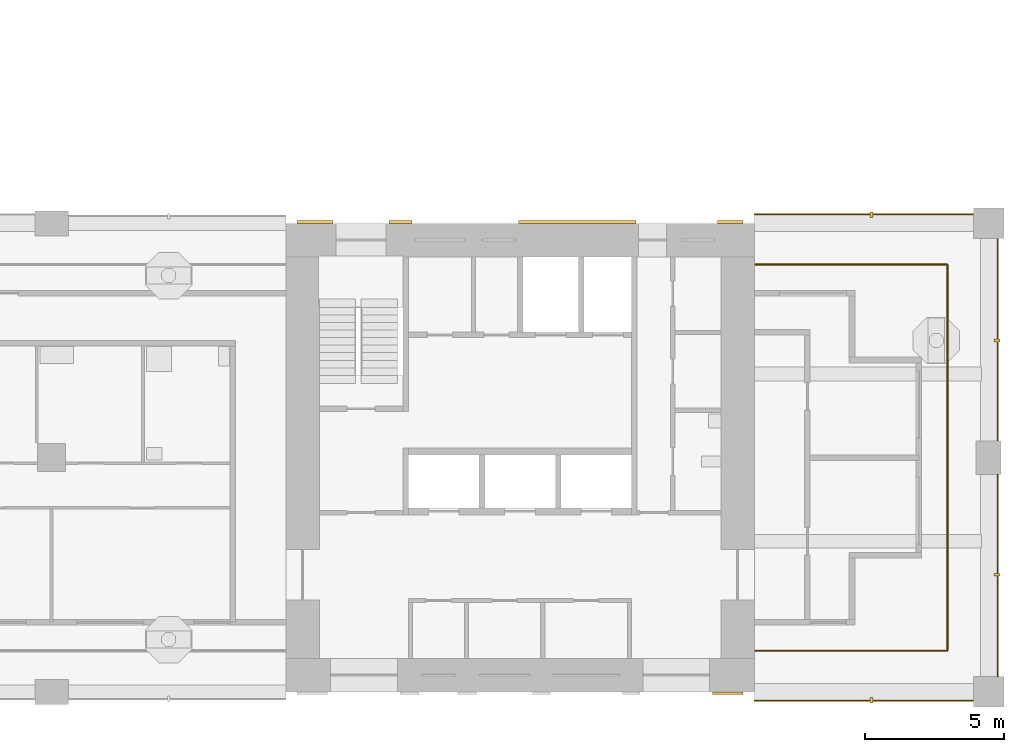
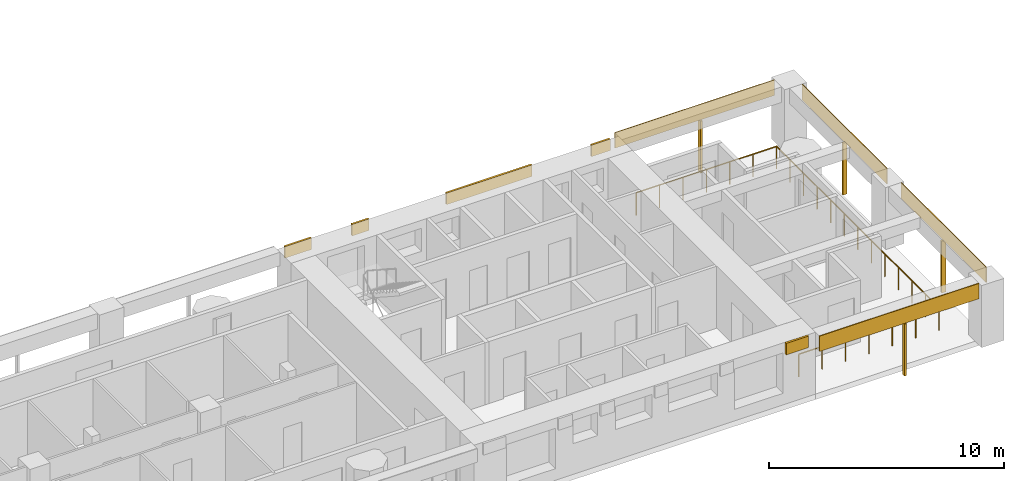
# One storey, part 9 of 13: 13 shading devices, 1 railing.
"""IFC4 building model written with IfcOpenShell, lengths in metres."""

from ifc_helpers import new_model, si_unit, direction, frame, origin, origin_2d, place, context, subcontext, project, spatial, rectangle, circle, extrude, material, layer, layer_set, material_profile, profile_set, type_object, element, save


model = new_model("IFC4")

# Units and contexts
model_context = context("Model", 3, precision=1e-05, world=origin(), true_north=direction((0.0, 1.0)))
body_context = subcontext(model_context, "Body", "Model", "MODEL_VIEW")
ifc_project = project(units=[si_unit("LENGTHUNIT", "METRE"), si_unit("AREAUNIT", "SQUARE_METRE"), si_unit("VOLUMEUNIT", "CUBIC_METRE"), si_unit("PLANEANGLEUNIT", "RADIAN"), si_unit("MASSUNIT", "GRAM", prefix="KILO")], contexts=[model_context])

# Site, building, storey
site_placement = place(None, origin())
site = spatial("IfcSite", under=ifc_project, at=site_placement, CompositionType="ELEMENT")
building_placement = place(site_placement, origin())
building = spatial("IfcBuilding", under=site, at=building_placement, Name="Vermilion Gate Residences", CompositionType="ELEMENT")
storey_placement = place(building_placement, frame((0.0, 0.0, 151.199951171875)))
storey = spatial("IfcBuildingStorey", under=building, at=storey_placement, Name="L38", CompositionType="ELEMENT", Elevation=151.199951171875)

# Railing
ifc_material_1 = material(Name="Stainless steel and toughened glass", Category="steel")
railing_type = type_object("IfcRailingType", Name="LOGGIA GUARD STEEL AND GLASS 1200", PredefinedType="GUARDRAIL", material=ifc_material_1)
railing_placement = place(storey_placement, frame((58.822021484375, 9.875, 0.0)))
element("IfcRailing", 1, at=railing_placement, inside=storey, type_object=railing_type, Name="Loggia guard", PredefinedType="GUARDRAIL", context=body_context, shape_type="SweptSolid", body=[
    extrude(circle(Radius=0.030029296875, at=origin_2d()), frame((0.0, 0.0, 1.169921875), z_axis=(1.0, 0.0, 0.0), x_axis=(0.0, 1.0, 0.0)), (0.0, 0.0, 1.0), 6.903076171875),
    extrude(circle(Radius=0.030029296875, at=origin_2d()), frame((6.903076171875, 0.0, 1.169921875), z_axis=(0.0, 1.0, 0.0), x_axis=(-1.0, 0.0, 0.0)), (0.0, 0.0, 1.0), 13.85009765625),
    extrude(circle(Radius=0.030029296875, at=origin_2d()), frame((6.903076171875, 13.85009765625, 1.169921875), z_axis=(-1.0, 0.0, 0.0), x_axis=(0.0, -1.0, 0.0)), (0.0, 0.0, 1.0), 6.903076171875),
    extrude(circle(Radius=0.02490234375, at=origin_2d()), origin(), (0.0, 0.0, 1.0), 1.139892578125),
    extrude(circle(Radius=0.02490234375, at=origin_2d()), frame((1.150390625, 0.0, 0.0)), (0.0, 0.0, 1.0), 1.139892578125),
    extrude(circle(Radius=0.02490234375, at=origin_2d()), frame((2.301025390625, 0.0, 0.0)), (0.0, 0.0, 1.0), 1.139892578125),
    extrude(circle(Radius=0.02490234375, at=origin_2d()), frame((3.45166015625, 0.0, 0.0)), (0.0, 0.0, 1.0), 1.139892578125),
    extrude(circle(Radius=0.02490234375, at=origin_2d()), frame((4.60205078125, 0.0, 0.0)), (0.0, 0.0, 1.0), 1.139892578125),
    extrude(circle(Radius=0.02490234375, at=origin_2d()), frame((5.75244140625, 0.0, 0.0)), (0.0, 0.0, 1.0), 1.139892578125),
    extrude(circle(Radius=0.02490234375, at=origin_2d()), frame((6.903076171875, 0.0, 0.0)), (0.0, 0.0, 1.0), 1.139892578125),
    extrude(circle(Radius=0.02490234375, at=origin_2d()), frame((6.903076171875, 1.154296875, 0.0)), (0.0, 0.0, 1.0), 1.139892578125),
    extrude(circle(Radius=0.02490234375, at=origin_2d()), frame((6.903076171875, 2.308349609375, 0.0)), (0.0, 0.0, 1.0), 1.139892578125),
    extrude(circle(Radius=0.02490234375, at=origin_2d()), frame((6.903076171875, 3.46240234375, 0.0)), (0.0, 0.0, 1.0), 1.139892578125),
    extrude(circle(Radius=0.02490234375, at=origin_2d()), frame((6.903076171875, 4.61669921875, 0.0)), (0.0, 0.0, 1.0), 1.139892578125),
    extrude(circle(Radius=0.02490234375, at=origin_2d()), frame((6.903076171875, 5.77099609375, 0.0)), (0.0, 0.0, 1.0), 1.139892578125),
    extrude(circle(Radius=0.02490234375, at=origin_2d()), frame((6.903076171875, 6.925048828125, 0.0)), (0.0, 0.0, 1.0), 1.139892578125),
    extrude(circle(Radius=0.02490234375, at=origin_2d()), frame((6.903076171875, 8.0791015625, 0.0)), (0.0, 0.0, 1.0), 1.139892578125),
    extrude(circle(Radius=0.02490234375, at=origin_2d()), frame((6.903076171875, 9.2333984375, 0.0)), (0.0, 0.0, 1.0), 1.139892578125),
    extrude(circle(Radius=0.02490234375, at=origin_2d()), frame((6.903076171875, 10.3876953125, 0.0)), (0.0, 0.0, 1.0), 1.139892578125),
    extrude(circle(Radius=0.02490234375, at=origin_2d()), frame((6.903076171875, 11.541748046875, 0.0)), (0.0, 0.0, 1.0), 1.139892578125),
    extrude(circle(Radius=0.02490234375, at=origin_2d()), frame((6.903076171875, 12.69580078125, 0.0)), (0.0, 0.0, 1.0), 1.139892578125),
    extrude(circle(Radius=0.02490234375, at=origin_2d()), frame((6.903076171875, 13.85009765625, 0.0)), (0.0, 0.0, 1.0), 1.139892578125),
    extrude(circle(Radius=0.02490234375, at=origin_2d()), frame((5.75244140625, 13.85009765625, 0.0)), (0.0, 0.0, 1.0), 1.139892578125),
    extrude(circle(Radius=0.02490234375, at=origin_2d()), frame((4.60205078125, 13.85009765625, 0.0)), (0.0, 0.0, 1.0), 1.139892578125),
    extrude(circle(Radius=0.02490234375, at=origin_2d()), frame((3.45166015625, 13.85009765625, 0.0)), (0.0, 0.0, 1.0), 1.139892578125),
    extrude(circle(Radius=0.02490234375, at=origin_2d()), frame((2.301025390625, 13.85009765625, 0.0)), (0.0, 0.0, 1.0), 1.139892578125),
    extrude(circle(Radius=0.02490234375, at=origin_2d()), frame((1.150390625, 13.85009765625, 0.0)), (0.0, 0.0, 1.0), 1.139892578125),
    extrude(circle(Radius=0.02490234375, at=origin_2d()), frame((0.0, 13.85009765625, 0.0)), (0.0, 0.0, 1.0), 1.139892578125),
])

# Shading devices
ifc_material_2 = material(Name="Perforated terracotta", Category="masonry")
ifc_layer_1 = layer(ifc_material_2, 0.0400390625)
ifc_layer_set_1 = layer_set([ifc_layer_1], Name="PERFORATED TERRACOTTA SCREEN 40")
shading_device_type_1 = type_object("IfcShadingDeviceType", Name="PERFORATED TERRACOTTA SCREEN 40", PredefinedType="SHUTTER", material=ifc_layer_set_1)
shading_device_1_placement = place(storey_placement, frame((62.72509765625, 8.080078125, 2.419921875), z_axis=(0.0, 0.0, 1.0), x_axis=(1.0, 0.0, 0.0)))
element("IfcShadingDevice", 2, at=shading_device_1_placement, inside=storey, type_object=shading_device_type_1, Name="SCREEN", PredefinedType="SHUTTER", context=body_context, shape_type="SweptSolid", body=[
    extrude(rectangle(XDim=7.85009765625, YDim=0.0400390625, at=origin_2d()), origin(), (0.0, 0.0, 1.0), 0.800048828125),
])
for number, where, z_axis, x_axis, name in (
    (3, (67.52001953125, 12.574951171875, 2.419921875), (0.0, 0.0, 1.0), (0.0, 1.0, 0.0), "SCREEN"),
    (4, (67.52001953125, 21.02490234375, 2.419921875), (0.0, 0.0, 1.0), (0.0, 1.0, 0.0), "SCREEN"),
):
    element("IfcShadingDevice", number, at=place(storey_placement, frame(where, z_axis=z_axis, x_axis=x_axis)), inside=storey, type_object=shading_device_type_1, Name=name, PredefinedType="SHUTTER", context=body_context, shape_type="SweptSolid", body=[
        extrude(rectangle(XDim=7.25, YDim=0.0400390625, at=origin_2d()), origin(), (0.0, 0.0, 1.0), 0.800048828125),
    ])
shading_device_2_placement = place(storey_placement, frame((62.72509765625, 25.52001953125, 2.419921875), z_axis=(0.0, 0.0, 1.0), x_axis=(-1.0, 0.0, 0.0)))
element("IfcShadingDevice", 5, at=shading_device_2_placement, inside=storey, type_object=shading_device_type_1, Name="SCREEN", PredefinedType="SHUTTER", context=body_context, shape_type="SweptSolid", body=[
    extrude(rectangle(XDim=7.85009765625, YDim=0.0400390625, at=origin_2d()), origin(), (0.0, 0.0, 1.0), 0.800048828125),
])
ifc_material_3 = material(Name="Extruded terracotta", Category="masonry")
ifc_material_profile = material_profile(ifc_material_3, rectangle(XDim=0.199951171875, YDim=0.10009765625, at=origin_2d()), Name="BAGUETTE 100 X 200")
ifc_profile_set = profile_set([ifc_material_profile], Name="Extruded terracotta")
shading_device_type_2 = type_object("IfcShadingDeviceType", Name="TERRACOTTA BAGUETTE 100 X 200", PredefinedType="JALOUSIE", material=ifc_profile_set)
for number, where, z_axis, x_axis, name in (
    (6, (63.0, 8.10009765625, -0.280029296875), (0.0, 0.0, 1.0), (0.0, 1.0, 0.0), "BAGUETTE"),
    (7, (67.5, 12.60009765625, -0.280029296875), (0.0, 0.0, 1.0), (-1.0, 0.0, 0.0), "BAGUETTE"),
    (8, (67.5, 21.0, -0.280029296875), (0.0, 0.0, 1.0), (-1.0, 0.0, 0.0), "BAGUETTE"),
    (9, (63.0, 25.5, -0.280029296875), (0.0, 0.0, 1.0), (0.0, -1.0, 0.0), "BAGUETTE"),
):
    element("IfcShadingDevice", number, at=place(storey_placement, frame(where, z_axis=z_axis, x_axis=x_axis)), inside=storey, type_object=shading_device_type_2, Name=name, PredefinedType="JALOUSIE", context=body_context, shape_type="SweptSolid", body=[
        extrude(rectangle(XDim=0.199951171875, YDim=0.10009765625, at=origin_2d()), origin(), (0.0, 0.0, 1.0), 2.7001953125),
    ])
ifc_material_4 = material(Name="Extruded terracotta", Category="masonry")
ifc_layer_2 = layer(ifc_material_4, 0.10009765625)
ifc_layer_set_2 = layer_set([ifc_layer_2], Name="TERRACOTTA SPANDREL BAND 600 X 100")
shading_device_type_3 = type_object("IfcShadingDeviceType", Name="TERRACOTTA SPANDREL BAND 600 X 100", PredefinedType="USERDEFINED", material=ifc_layer_set_2)
shading_device_3_placement = place(storey_placement, frame((57.85009765625, 8.35009765625, 2.6201171875), z_axis=(0.0, 0.0, 1.0), x_axis=(1.0, 0.0, 0.0)))
element("IfcShadingDevice", 10, at=shading_device_3_placement, inside=storey, type_object=shading_device_type_3, Name="SPANDREL BAND", ObjectType="BAND", PredefinedType="USERDEFINED", context=body_context, shape_type="SweptSolid", body=[
    extrude(rectangle(XDim=1.10009765625, YDim=0.10009765625, at=origin_2d()), origin(), (0.0, 0.0, 1.0), 0.60009765625),
])
shading_device_4_placement = place(storey_placement, frame((43.050048828125, 25.25, 2.6201171875), z_axis=(0.0, 0.0, 1.0), x_axis=(1.0, 0.0, 0.0)))
element("IfcShadingDevice", 11, at=shading_device_4_placement, inside=storey, type_object=shading_device_type_3, Name="SPANDREL BAND", ObjectType="BAND", PredefinedType="USERDEFINED", context=body_context, shape_type="SweptSolid", body=[
    extrude(rectangle(XDim=1.300048828125, YDim=0.10009765625, at=origin_2d()), origin(), (0.0, 0.0, 1.0), 0.60009765625),
])
shading_device_5_placement = place(storey_placement, frame((46.112548828125, 25.25, 2.6201171875), z_axis=(0.0, 0.0, 1.0), x_axis=(1.0, 0.0, 0.0)))
element("IfcShadingDevice", 12, at=shading_device_5_placement, inside=storey, type_object=shading_device_type_3, Name="SPANDREL BAND", ObjectType="BAND", PredefinedType="USERDEFINED", context=body_context, shape_type="SweptSolid", body=[
    extrude(rectangle(XDim=0.824951171875, YDim=0.10009765625, at=origin_2d()), origin(), (0.0, 0.0, 1.0), 0.60009765625),
])
shading_device_6_placement = place(storey_placement, frame((52.449951171875, 25.25, 2.6201171875), z_axis=(0.0, 0.0, 1.0), x_axis=(1.0, 0.0, 0.0)))
element("IfcShadingDevice", 13, at=shading_device_6_placement, inside=storey, type_object=shading_device_type_3, Name="SPANDREL BAND", ObjectType="BAND", PredefinedType="USERDEFINED", context=body_context, shape_type="SweptSolid", body=[
    extrude(rectangle(XDim=4.199951171875, YDim=0.10009765625, at=origin_2d()), origin(), (0.0, 0.0, 1.0), 0.60009765625),
])
shading_device_7_placement = place(storey_placement, frame((57.9375, 25.25, 2.6201171875), z_axis=(0.0, 0.0, 1.0), x_axis=(1.0, 0.0, 0.0)))
element("IfcShadingDevice", 14, at=shading_device_7_placement, inside=storey, type_object=shading_device_type_3, Name="SPANDREL BAND", ObjectType="BAND", PredefinedType="USERDEFINED", context=body_context, shape_type="SweptSolid", body=[
    extrude(rectangle(XDim=0.925048828125, YDim=0.10009765625, at=origin_2d()), origin(), (0.0, 0.0, 1.0), 0.60009765625),
])

save(model, "model.ifc")
